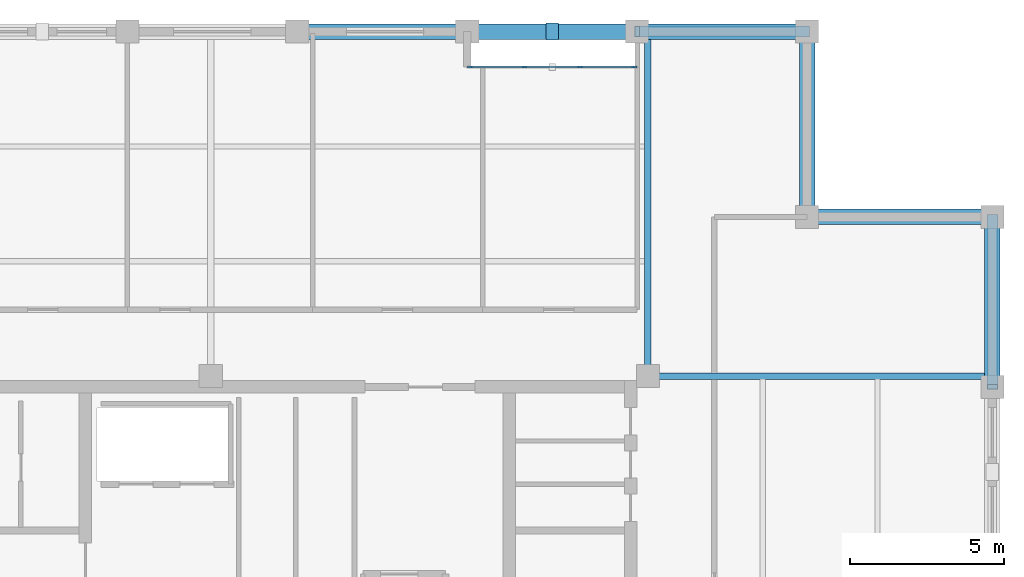
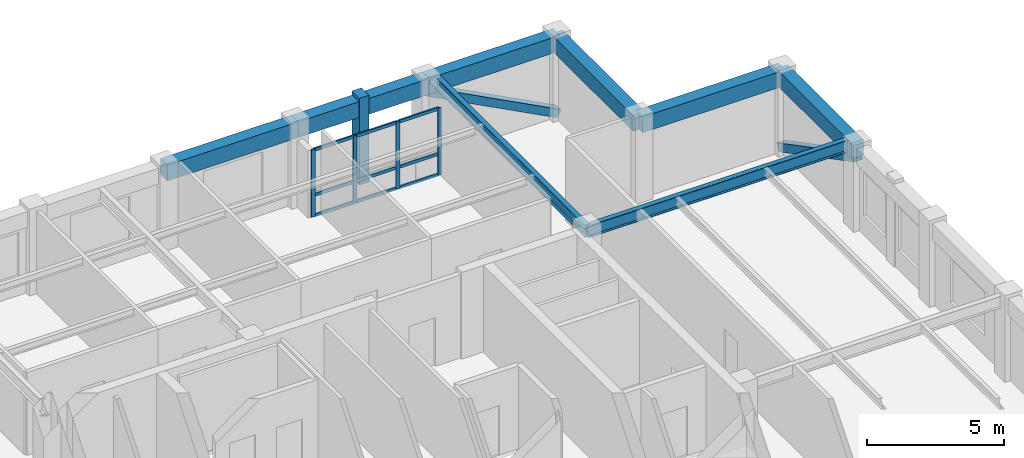
# One storey, part 2 of 7: 16 members, 8 beams, 1 element without a shape of its own.
"""IFC4 building model written with IfcOpenShell, lengths in metres."""

from ifc_helpers import new_model, si_unit, direction, frame, origin, origin_2d, place, context, subcontext, project, spatial, rectangle, hollow_rectangle, i_section, extrude, material, layer, layer_set, material_profile, profile_set, type_object, element, aggregate, save


model = new_model("IFC4")

# Units and contexts
model_context = context("Model", 3, precision=1e-05, world=origin(), true_north=direction((0.0, 1.0)))
body_context = subcontext(model_context, "Body", "Model", "MODEL_VIEW")
ifc_project = project(units=[si_unit("LENGTHUNIT", "METRE"), si_unit("AREAUNIT", "SQUARE_METRE"), si_unit("VOLUMEUNIT", "CUBIC_METRE"), si_unit("PLANEANGLEUNIT", "RADIAN"), si_unit("MASSUNIT", "GRAM", prefix="KILO")], contexts=[model_context])

# Site, building, storey
site_placement = place(None, origin())
site = spatial("IfcSite", under=ifc_project, at=site_placement, CompositionType="ELEMENT")
building_placement = place(site_placement, origin())
building = spatial("IfcBuilding", under=site, at=building_placement, Name="Nhamokura Convention Tower", CompositionType="ELEMENT")
storey_placement = place(building_placement, frame((0.0, 0.0, 281.39990234375)))
storey = spatial("IfcBuildingStorey", under=building, at=storey_placement, Name="L69", CompositionType="ELEMENT", Elevation=281.39990234375)

# Member
ifc_material_1 = material(Name="Bronze-pigmented precast concrete C45/55", Category="concrete")
ifc_material_profile_1 = material_profile(ifc_material_1, rectangle(XDim=0.39990234375, YDim=0.550048828125, at=origin_2d()))
ifc_profile_set_1 = profile_set([ifc_material_profile_1], Name="Bronze-pigmented precast concrete C45/55")
member_type_1 = type_object("IfcMemberType", Name="BronzePilaster_550", PredefinedType="USERDEFINED", material=ifc_profile_set_1)
member_1_placement = place(storey_placement, frame((40.25, 54.5, 0.0), z_axis=(0.0, 0.0, 1.0), x_axis=(1.0, 0.0, 0.0)))
element("IfcMember", 1, at=member_1_placement, inside=storey, type_object=member_type_1, Name="L69 Engaged Frame Pilaster NORTH 4", ObjectType="PILASTER_TRIM", PredefinedType="USERDEFINED", context=body_context, shape_type="SweptSolid", body=[
    extrude(rectangle(XDim=0.39990234375, YDim=0.550048828125, at=origin_2d()), origin(), (0.0, 0.0, 1.0), 3.85009765625),
])

# Curtain wall, members
ifc_material_2 = material(Name="Anodised bronze aluminium AA6063-T6", Category="aluminium")
ifc_layer = layer(ifc_material_2, 0.155029296875)
ifc_layer_set = layer_set([ifc_layer], Name="CWSystem_ScaleSlot_Zone3")
curtain_wall_type = type_object("IfcCurtainWallType", Name="CWSystem_ScaleSlot_Zone3", PredefinedType="NOTDEFINED", material=ifc_layer_set)
curtain_wall_placement = place(storey_placement, origin())
curtain_wall = element("IfcCurtainWall", 2, at=curtain_wall_placement, inside=storey, type_object=curtain_wall_type, Name="L69 Curtain Wall ENV-L69-SLOT-N4", PredefinedType="NOTDEFINED")
ifc_material_3 = material(Name="Anodised bronze aluminium AA6063-T6", Category="aluminium")
ifc_material_profile_2 = material_profile(ifc_material_3, rectangle(XDim=0.06494140625, YDim=0.1650390625, at=origin_2d()))
ifc_profile_set_2 = profile_set([ifc_material_profile_2], Name="Anodised bronze aluminium AA6063-T6")
member_type_2 = type_object("IfcMemberType", Name="CWMullion_3", PredefinedType="MULLION", material=ifc_profile_set_2)
member_2_placement = place(storey_placement, frame((37.592529296875, 53.35009765625, 0.0), z_axis=(0.0, 0.0, 1.0), x_axis=(0.0, 1.0, 0.0)))
member_2 = element("IfcMember", 3, at=member_2_placement, type_object=member_type_2, Name="CW-05 mullion 1", PredefinedType="MULLION", context=body_context, shape_type="SweptSolid", body=[
    extrude(rectangle(XDim=0.06494140625, YDim=0.1650390625, at=origin_2d()), origin(), (0.0, 0.0, 1.0), 2.985107421875),
])
member_3_placement = place(storey_placement, frame((39.353271484375, 53.35009765625, 0.0), z_axis=(0.0, 0.0, 1.0), x_axis=(0.0, 1.0, 0.0)))
member_3 = element("IfcMember", 4, at=member_3_placement, type_object=member_type_2, Name="CW-05 mullion 2", PredefinedType="MULLION", context=body_context, shape_type="SweptSolid", body=[
    extrude(rectangle(XDim=0.06494140625, YDim=0.1650390625, at=origin_2d()), origin(), (0.0, 0.0, 1.0), 2.985107421875),
])
member_4_placement = place(storey_placement, frame((41.146728515625, 53.35009765625, 0.0), z_axis=(0.0, 0.0, 1.0), x_axis=(0.0, 1.0, 0.0)))
member_4 = element("IfcMember", 5, at=member_4_placement, type_object=member_type_2, Name="CW-05 mullion 3", PredefinedType="MULLION", context=body_context, shape_type="SweptSolid", body=[
    extrude(rectangle(XDim=0.06494140625, YDim=0.1650390625, at=origin_2d()), origin(), (0.0, 0.0, 1.0), 2.985107421875),
])
member_5_placement = place(storey_placement, frame((42.907470703125, 53.35009765625, 0.0), z_axis=(0.0, 0.0, 1.0), x_axis=(0.0, 1.0, 0.0)))
member_5 = element("IfcMember", 6, at=member_5_placement, type_object=member_type_2, Name="CW-05 mullion 4", PredefinedType="MULLION", context=body_context, shape_type="SweptSolid", body=[
    extrude(rectangle(XDim=0.06494140625, YDim=0.1650390625, at=origin_2d()), origin(), (0.0, 0.0, 1.0), 2.985107421875),
])
ifc_material_4 = material(Name="Anodised bronze aluminium AA6063-T6", Category="aluminium")
ifc_material_profile_3 = material_profile(ifc_material_4, rectangle(XDim=0.06494140625, YDim=0.139892578125, at=origin_2d()))
ifc_profile_set_3 = profile_set([ifc_material_profile_3], Name="Anodised bronze aluminium AA6063-T6")
member_type_3 = type_object("IfcMemberType", Name="CWTransom_3", PredefinedType="USERDEFINED", material=ifc_profile_set_3)
member_6_placement = place(storey_placement, frame((37.625, 53.35009765625, 0.03271484375), z_axis=(1.0, 0.0, 0.0), x_axis=(0.0, 1.0, 0.0)))
member_6 = element("IfcMember", 7, at=member_6_placement, type_object=member_type_3, Name="CW-05 transom 1.1", ObjectType="TRANSOM", PredefinedType="USERDEFINED", context=body_context, shape_type="SweptSolid", body=[
    extrude(rectangle(XDim=0.06494140625, YDim=0.139892578125, at=origin_2d()), origin(), (0.0, 0.0, 1.0), 1.69580078125),
])
member_7_placement = place(storey_placement, frame((37.625, 53.35009765625, 0.9501953125), z_axis=(1.0, 0.0, 0.0), x_axis=(0.0, 1.0, 0.0)))
member_7 = element("IfcMember", 8, at=member_7_placement, type_object=member_type_3, Name="CW-05 transom 1.2", ObjectType="TRANSOM", PredefinedType="USERDEFINED", context=body_context, shape_type="SweptSolid", body=[
    extrude(rectangle(XDim=0.06494140625, YDim=0.139892578125, at=origin_2d()), origin(), (0.0, 0.0, 1.0), 1.69580078125),
])
member_8_placement = place(storey_placement, frame((37.625, 53.35009765625, 2.95263671875), z_axis=(1.0, 0.0, 0.0), x_axis=(0.0, 1.0, 0.0)))
member_8 = element("IfcMember", 9, at=member_8_placement, type_object=member_type_3, Name="CW-05 transom 1.3", ObjectType="TRANSOM", PredefinedType="USERDEFINED", context=body_context, shape_type="SweptSolid", body=[
    extrude(rectangle(XDim=0.06494140625, YDim=0.139892578125, at=origin_2d()), origin(), (0.0, 0.0, 1.0), 1.69580078125),
])
member_9_placement = place(storey_placement, frame((39.3857421875, 53.35009765625, 0.03271484375), z_axis=(1.0, 0.0, 0.0), x_axis=(0.0, 1.0, 0.0)))
member_9 = element("IfcMember", 10, at=member_9_placement, type_object=member_type_3, Name="CW-05 transom 2.1", ObjectType="TRANSOM", PredefinedType="USERDEFINED", context=body_context, shape_type="SweptSolid", body=[
    extrude(rectangle(XDim=0.06494140625, YDim=0.139892578125, at=origin_2d()), origin(), (0.0, 0.0, 1.0), 1.728515625),
])
member_10_placement = place(storey_placement, frame((39.3857421875, 53.35009765625, 0.9501953125), z_axis=(1.0, 0.0, 0.0), x_axis=(0.0, 1.0, 0.0)))
member_10 = element("IfcMember", 11, at=member_10_placement, type_object=member_type_3, Name="CW-05 transom 2.2", ObjectType="TRANSOM", PredefinedType="USERDEFINED", context=body_context, shape_type="SweptSolid", body=[
    extrude(rectangle(XDim=0.06494140625, YDim=0.139892578125, at=origin_2d()), origin(), (0.0, 0.0, 1.0), 1.728515625),
])
member_11_placement = place(storey_placement, frame((39.3857421875, 53.35009765625, 2.95263671875), z_axis=(1.0, 0.0, 0.0), x_axis=(0.0, 1.0, 0.0)))
member_11 = element("IfcMember", 12, at=member_11_placement, type_object=member_type_3, Name="CW-05 transom 2.3", ObjectType="TRANSOM", PredefinedType="USERDEFINED", context=body_context, shape_type="SweptSolid", body=[
    extrude(rectangle(XDim=0.06494140625, YDim=0.139892578125, at=origin_2d()), origin(), (0.0, 0.0, 1.0), 1.728515625),
])
member_12_placement = place(storey_placement, frame((41.17919921875, 53.35009765625, 0.03271484375), z_axis=(1.0, 0.0, 0.0), x_axis=(0.0, 1.0, 0.0)))
member_12 = element("IfcMember", 13, at=member_12_placement, type_object=member_type_3, Name="CW-05 transom 3.1", ObjectType="TRANSOM", PredefinedType="USERDEFINED", context=body_context, shape_type="SweptSolid", body=[
    extrude(rectangle(XDim=0.06494140625, YDim=0.139892578125, at=origin_2d()), origin(), (0.0, 0.0, 1.0), 1.69580078125),
])
member_13_placement = place(storey_placement, frame((41.17919921875, 53.35009765625, 0.9501953125), z_axis=(1.0, 0.0, 0.0), x_axis=(0.0, 1.0, 0.0)))
member_13 = element("IfcMember", 14, at=member_13_placement, type_object=member_type_3, Name="CW-05 transom 3.2", ObjectType="TRANSOM", PredefinedType="USERDEFINED", context=body_context, shape_type="SweptSolid", body=[
    extrude(rectangle(XDim=0.06494140625, YDim=0.139892578125, at=origin_2d()), origin(), (0.0, 0.0, 1.0), 1.69580078125),
])
member_14_placement = place(storey_placement, frame((41.17919921875, 53.35009765625, 2.95263671875), z_axis=(1.0, 0.0, 0.0), x_axis=(0.0, 1.0, 0.0)))
member_14 = element("IfcMember", 15, at=member_14_placement, type_object=member_type_3, Name="CW-05 transom 3.3", ObjectType="TRANSOM", PredefinedType="USERDEFINED", context=body_context, shape_type="SweptSolid", body=[
    extrude(rectangle(XDim=0.06494140625, YDim=0.139892578125, at=origin_2d()), origin(), (0.0, 0.0, 1.0), 1.69580078125),
])
aggregate(curtain_wall, [member_2, member_3, member_4, member_5, member_6, member_7, member_8, member_9, member_10, member_11, member_12, member_13, member_14])

# Beams
ifc_material_5 = material(Name="Steel ASTM A992 Gr 50", Category="steel")
ifc_material_profile_4 = material_profile(ifc_material_5, i_section(OverallWidth=0.208984375, OverallDepth=0.532958984375, WebThickness=0.01025390625, FlangeThickness=0.015625, at=origin_2d()))
ifc_profile_set_4 = profile_set([ifc_material_profile_4], Name="Steel ASTM A992 Gr 50")
beam_type_1 = type_object("IfcBeamType", Name="PrimaryGirder_W530X92", PredefinedType="BEAM", material=ifc_profile_set_4)
for number, where, z_axis, x_axis, name in (
    (16, (43.35009765625, 43.35009765625, 3.418701171875), (0.0, 1.0, 0.0), (-1.0, 0.0, 0.0), "L69 Primary Floor Girder PG-N3"),
    (17, (43.35009765625, 43.35009765625, 3.418701171875), (1.0, 0.0, 0.0), (0.0, 1.0, 0.0), "L69 Primary Floor Girder PG-E3"),
):
    element("IfcBeam", number, at=place(storey_placement, frame(where, z_axis=z_axis, x_axis=x_axis)), inside=storey, type_object=beam_type_1, Name=name, PredefinedType="BEAM", context=body_context, shape_type="SweptSolid", body=[
        extrude(i_section(OverallWidth=0.208984375, OverallDepth=0.532958984375, WebThickness=0.01025390625, FlangeThickness=0.015625, at=origin_2d()), origin(), (0.0, 0.0, 1.0), 11.14990234375),
    ])

# Members
ifc_material_6 = material(Name="Steel ASTM A572 Gr 50", Category="steel")
ifc_material_profile_5 = material_profile(ifc_material_6, hollow_rectangle(XDim=0.35009765625, YDim=0.35009765625, WallThickness=0.01611328125, at=origin_2d()))
ifc_profile_set_5 = profile_set([ifc_material_profile_5], Name="Steel ASTM A572 Gr 50")
member_type_4 = type_object("IfcMemberType", Name="TubeBrace_HSS350", PredefinedType="BRACE", material=ifc_profile_set_5)
for number, where, z_axis, x_axis, name in (
    (18, (48.5, 54.5, 0.150146484375), (-0.885562865764, 0.0, 0.464519548328), (0.0, -1.0, 0.0), "L69 Perimeter Tube Brace NORTH Bay 5"),
    (19, (54.5, 48.5, 0.150146484375), (0.0, -0.885562865764, 0.464519548328), (1.0, 0.0, 0.0), "L69 Perimeter Tube Brace EAST Bay 5"),
):
    element("IfcMember", number, at=place(storey_placement, frame(where, z_axis=z_axis, x_axis=x_axis)), inside=storey, type_object=member_type_4, Name=name, PredefinedType="BRACE", context=body_context, shape_type="SweptSolid", body=[
        extrude(hollow_rectangle(XDim=0.35009765625, YDim=0.35009765625, WallThickness=0.01611328125, at=origin_2d()), origin(), (0.0, 0.0, 1.0), 6.210693359375),
    ])

# Beams
ifc_material_7 = material(Name="Concrete C50/60", Category="concrete")
ifc_material_profile_6 = material_profile(ifc_material_7, rectangle(XDim=0.5, YDim=0.699951171875, at=origin_2d()))
ifc_profile_set_6 = profile_set([ifc_material_profile_6], Name="Concrete C50/60")
beam_type_2 = type_object("IfcBeamType", Name="TubeSpandrel_700", PredefinedType="SPANDREL", material=ifc_profile_set_6)
for number, where, z_axis, x_axis, name in (
    (20, (32.0, 54.5, 3.335205078125), (1.0, 0.0, 0.0), (0.0, 1.0, 0.0), "L69 Perimeter Spandrel NORTH 4"),
    (21, (37.5, 54.5, 3.335205078125), (1.0, 0.0, 0.0), (0.0, 1.0, 0.0), "L69 Perimeter Spandrel NORTH 5"),
    (22, (43.0, 54.5, 3.335205078125), (1.0, 0.0, 0.0), (0.0, 1.0, 0.0), "L69 Perimeter Spandrel NORTH 6"),
    (23, (54.5, 43.0, 3.335205078125), (0.0, 1.0, 0.0), (-1.0, 0.0, 0.0), "L69 Perimeter Spandrel EAST 6"),
):
    element("IfcBeam", number, at=place(storey_placement, frame(where, z_axis=z_axis, x_axis=x_axis)), inside=storey, type_object=beam_type_2, Name=name, PredefinedType="SPANDREL", context=body_context, shape_type="SweptSolid", body=[
        extrude(rectangle(XDim=0.5, YDim=0.699951171875, at=origin_2d()), origin(), (0.0, 0.0, 1.0), 5.5),
    ])
for number, where, z_axis, x_axis, name in (
    (24, (54.5, 48.5, 3.335205078125), (-1.0, 0.0, 0.0), (0.0, -1.0, 0.0), "L69 Notch Spandrel NE1"),
    (25, (48.5, 48.5, 3.335205078125), (0.0, 1.0, 0.0), (-1.0, 0.0, 0.0), "L69 Notch Spandrel NE2"),
):
    element("IfcBeam", number, at=place(storey_placement, frame(where, z_axis=z_axis, x_axis=x_axis)), inside=storey, type_object=beam_type_2, Name=name, PredefinedType="SPANDREL", context=body_context, shape_type="SweptSolid", body=[
        extrude(rectangle(XDim=0.5, YDim=0.699951171875, at=origin_2d()), origin(), (0.0, 0.0, 1.0), 6.0),
    ])

save(model, "model.ifc")
